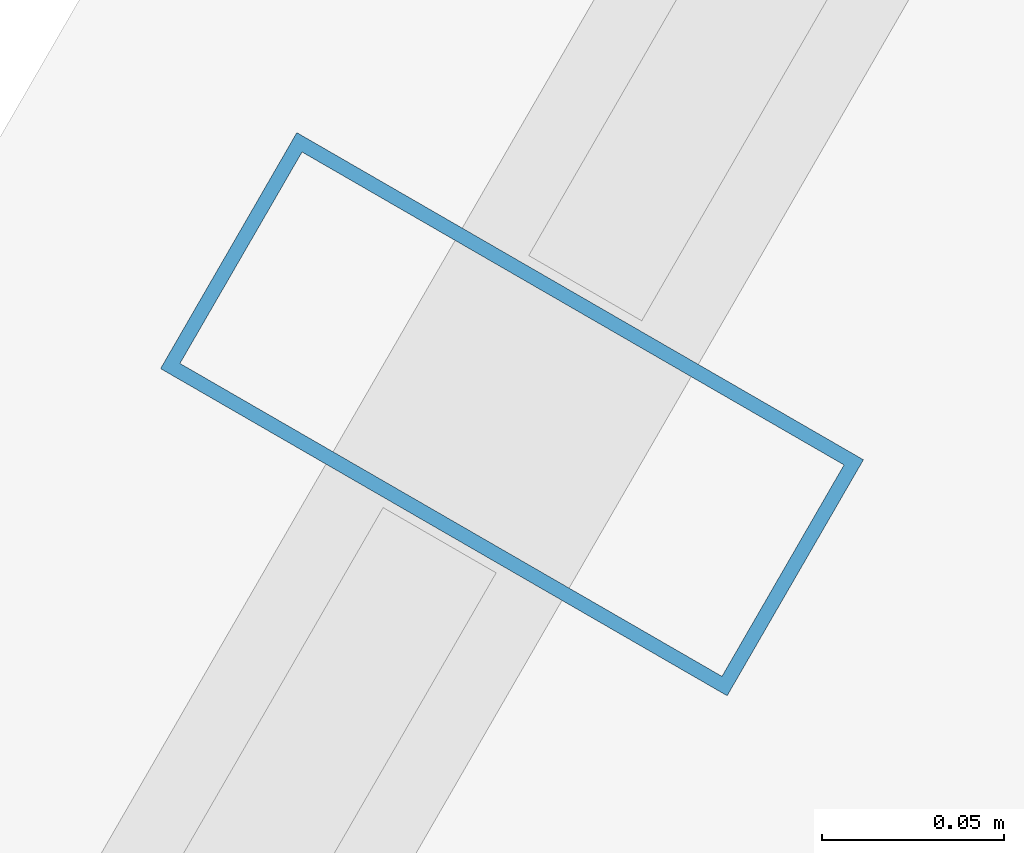
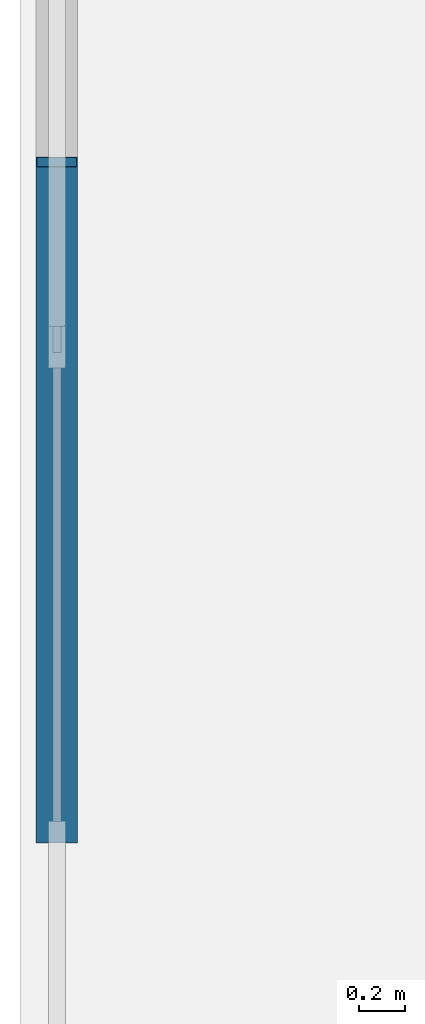
# One storey, part 14 of 32: 1 member, 1 element without a shape of its own.
"""IFC4 building model written with IfcOpenShell, lengths in metres."""

from ifc_helpers import new_model, si_unit, direction, frame, origin, origin_2d, place, context, subcontext, project, spatial, hollow_rectangle, extrude, material, layer, layer_set, material_profile, profile_set, type_object, element, aggregate, save


model = new_model("IFC4")

# Units and contexts
model_context = context("Model", 3, precision=1e-05, world=origin(), true_north=direction((0.0, 1.0)))
body_context = subcontext(model_context, "Body", "Model", "MODEL_VIEW")
ifc_project = project(units=[si_unit("LENGTHUNIT", "METRE"), si_unit("AREAUNIT", "SQUARE_METRE"), si_unit("VOLUMEUNIT", "CUBIC_METRE"), si_unit("PLANEANGLEUNIT", "RADIAN"), si_unit("MASSUNIT", "GRAM", prefix="KILO")], contexts=[model_context])

# Site, building, storey
site_placement = place(None, origin())
site = spatial("IfcSite", under=ifc_project, at=site_placement, CompositionType="ELEMENT")
building_placement = place(site_placement, origin())
building = spatial("IfcBuilding", under=site, at=building_placement, Name="Ndaravel Arena Tower", CompositionType="ELEMENT")
storey_placement = place(building_placement, frame((0.0, 0.0, 157.39990234375)))
storey = spatial("IfcBuildingStorey", under=building, at=storey_placement, Name="L37", CompositionType="ELEMENT", Elevation=157.39990234375)

# Curtain wall, member
ifc_material_1 = material(Name="Aluminium", Category="aluminium")
ifc_layer = layer(ifc_material_1, 0.179931640625)
ifc_layer_set = layer_set([ifc_layer], Name="Aluminium")
curtain_wall_type = type_object("IfcCurtainWallType", Name="CW-SYS-03", PredefinedType="NOTDEFINED", material=ifc_layer_set)
curtain_wall_placement = place(storey_placement, origin())
curtain_wall = element("IfcCurtainWall", 1, at=curtain_wall_placement, inside=storey, type_object=curtain_wall_type, Name="L37 Faceted Crystal Curtain Wall CW-L37-E05", PredefinedType="NOTDEFINED")
ifc_material_2 = material(Name="Aluminium", Category="aluminium")
ifc_material_profile = material_profile(ifc_material_2, hollow_rectangle(XDim=0.074951171875, YDim=0.179931640625, WallThickness=0.00390625, at=origin_2d()), Name="CW MULLION 75x180x4")
ifc_profile_set = profile_set([ifc_material_profile], Name="Aluminium")
member_type = type_object("IfcMemberType", Name="MEM-CW-MUL180", PredefinedType="MULLION", material=ifc_profile_set)
member_placement = place(storey_placement, frame((29.629638671875, 34.4130859375, 0.0), z_axis=(0.0, 0.0, 1.0), x_axis=(-0.5, -0.866025403784, 0.0)))
member = element("IfcMember", 2, at=member_placement, type_object=member_type, Name="CW-L37-E05 Mullion 03", PredefinedType="MULLION", context=body_context, shape_type="SweptSolid", body=[
    extrude(hollow_rectangle(XDim=0.074951171875, YDim=0.179931640625, WallThickness=0.00390625, at=origin_2d()), origin(), (0.0, 0.0, 1.0), 3.580078125),
])
aggregate(curtain_wall, [member])

save(model, "model.ifc")
